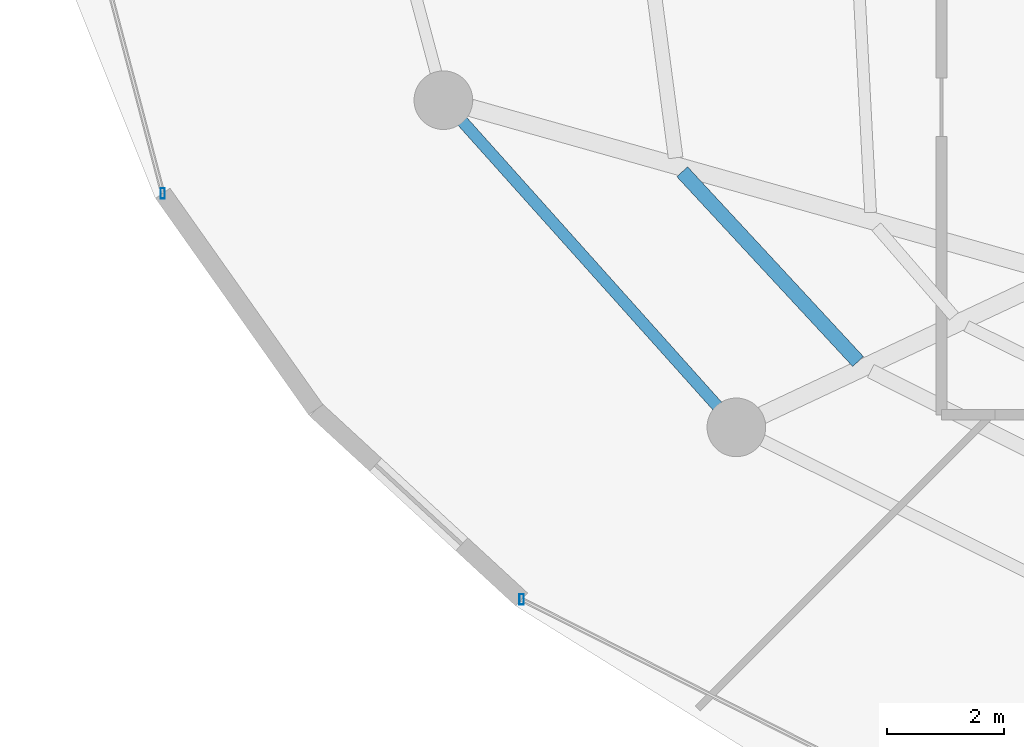
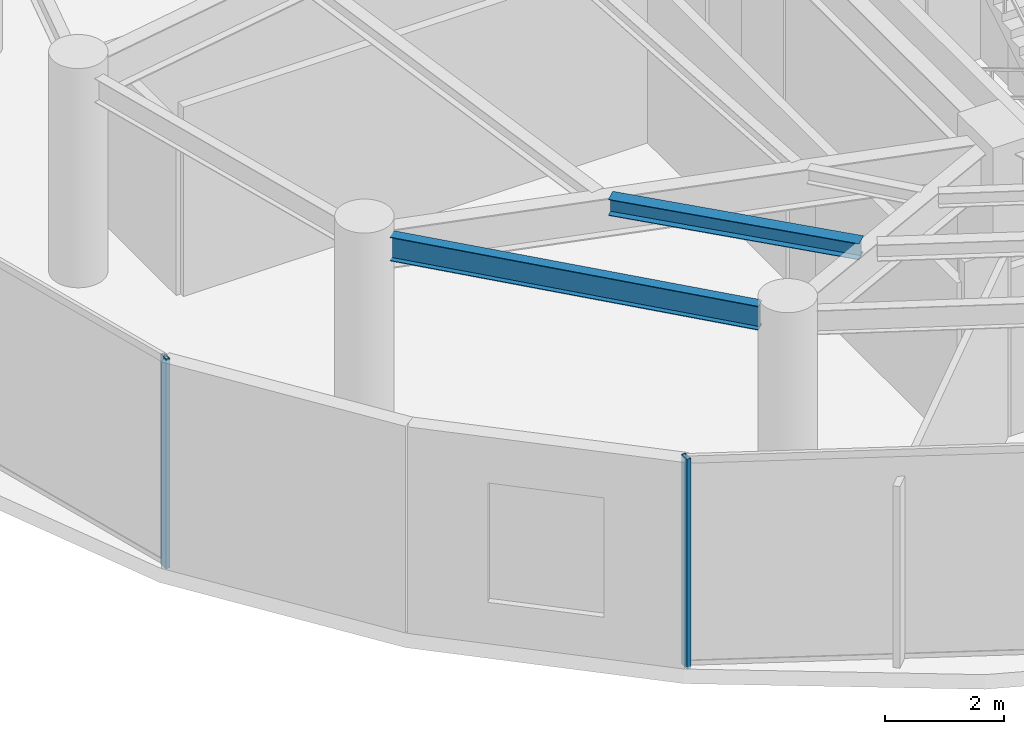
# One storey, part 2 of 31: 2 beams, 2 members, 2 elements without a shape of their own.
"""IFC4 building model written with IfcOpenShell, lengths in metres."""

from ifc_helpers import new_model, si_unit, direction, frame, origin, origin_2d, place, context, subcontext, project, spatial, hollow_rectangle, i_section, extrude, material, material_profile, profile_set, type_object, element, aggregate, save


model = new_model("IFC4")

# Units and contexts
model_context = context("Model", 3, precision=1e-05, world=origin(), true_north=direction((0.0, 1.0)))
body_context = subcontext(model_context, "Body", "Model", "MODEL_VIEW")
ifc_project = project(units=[si_unit("LENGTHUNIT", "METRE"), si_unit("AREAUNIT", "SQUARE_METRE"), si_unit("VOLUMEUNIT", "CUBIC_METRE"), si_unit("PLANEANGLEUNIT", "RADIAN"), si_unit("MASSUNIT", "GRAM", prefix="KILO")], contexts=[model_context])

# Site, building, storey
site_placement = place(None, origin())
site = spatial("IfcSite", under=ifc_project, at=site_placement, CompositionType="ELEMENT")
building_placement = place(site_placement, origin())
building = spatial("IfcBuilding", under=site, at=building_placement, Name="Vorneva Point Tower", CompositionType="ELEMENT")
storey_placement = place(building_placement, frame((0.0, 0.0, 174.60009765625)))
storey = spatial("IfcBuildingStorey", under=building, at=storey_placement, Name="L47", CompositionType="ELEMENT", Elevation=174.60009765625)

# Beams
ifc_material_1 = material(Name="Steel S355", Category="steel")
ifc_material_profile_1 = material_profile(ifc_material_1, i_section(OverallWidth=0.2490234375, OverallDepth=0.333984375, WebThickness=0.008056640625, FlangeThickness=0.010986328125, at=origin_2d()), Name="35Sh1")
ifc_profile_set_1 = profile_set([ifc_material_profile_1], Name="Steel S355")
beam_type_1 = type_object("IfcBeamType", Name="BM-SEC-35Sh1", PredefinedType="BEAM", material=ifc_profile_set_1)
beam_1_placement = place(storey_placement, frame((20.777587890625, 18.19677734375, 4.072998046875), z_axis=(0.679705864684, -0.733484790241, 0.0), x_axis=(0.733484790241, 0.679705864684, 0.0)))
element("IfcBeam", 1, at=beam_1_placement, inside=storey, type_object=beam_type_1, Name="L47 Secondary Floor Beam 1.10", PredefinedType="BEAM", context=body_context, shape_type="SweptSolid", body=[
    extrude(i_section(OverallWidth=0.2490234375, OverallDepth=0.333984375, WebThickness=0.008056640625, FlangeThickness=0.010986328125, at=origin_2d()), origin(), (0.0, 0.0, 1.0), 4.41259765625),
])
ifc_material_profile_2 = material_profile(ifc_material_1, i_section(OverallWidth=0.199951171875, OverallDepth=0.491943359375, WebThickness=0.0087890625, FlangeThickness=0.011962890625, at=origin_2d()), Name="50B1")
ifc_profile_set_2 = profile_set([ifc_material_profile_2], Name="Steel S355")
beam_type_2 = type_object("IfcBeamType", Name="BM-SPN-50B1", PredefinedType="SPANDREL", material=ifc_profile_set_2)
beam_2_placement = place(storey_placement, frame((17.028076171875, 19.056396484375, 3.993896484375), z_axis=(0.667111118975, -0.74495822362, 0.0), x_axis=(0.74495822362, 0.667111118975, 0.0)))
element("IfcBeam", 2, at=beam_2_placement, inside=storey, type_object=beam_type_2, Name="L47 Perimeter Spandrel Ring Beam 10", PredefinedType="SPANDREL", context=body_context, shape_type="SweptSolid", body=[
    extrude(i_section(OverallWidth=0.199951171875, OverallDepth=0.491943359375, WebThickness=0.0087890625, FlangeThickness=0.011962890625, at=origin_2d()), origin(), (0.0, 0.0, 1.0), 6.52001953125),
])

# Curtain wall, member
ifc_material_2 = material(Name="Pale anodised aluminium", Category="aluminium")
curtain_wall_type = type_object("IfcCurtainWallType", Name="CW-SKY-SYS", PredefinedType="NOTDEFINED", material=ifc_material_2)
curtain_wall_1_placement = place(storey_placement, origin())
curtain_wall_1 = element("IfcCurtainWall", 3, at=curtain_wall_1_placement, inside=storey, type_object=curtain_wall_type, Name="L47 Unitised Curtain Wall CW-L47-R03", PredefinedType="NOTDEFINED")
ifc_material_profile_3 = material_profile(ifc_material_2, hollow_rectangle(XDim=0.074951171875, YDim=0.179931640625, WallThickness=0.00390625, at=origin_2d()), Name="AL-MUL 180x75x4")
ifc_profile_set_3 = profile_set([ifc_material_profile_3], Name="Pale anodised aluminium")
member_type = type_object("IfcMemberType", Name="CW-MUL-180", PredefinedType="MULLION", material=ifc_profile_set_3)
member_1_placement = place(storey_placement, frame((11.9189453125, 17.82958984375, -0.0400390625), z_axis=(0.0, 0.0, 1.0), x_axis=(1.0, 0.0, 0.0)))
member_1 = element("IfcMember", 4, at=member_1_placement, type_object=member_type, Name="CW-L47-R03 Mullion 05", PredefinedType="MULLION", context=body_context, shape_type="SweptSolid", body=[
    extrude(hollow_rectangle(XDim=0.074951171875, YDim=0.179931640625, WallThickness=0.00390625, at=origin_2d()), origin(), (0.0, 0.0, 1.0), 4.31005859375),
])
aggregate(curtain_wall_1, [member_1])

curtain_wall_2_placement = place(storey_placement, origin())
curtain_wall_2 = element("IfcCurtainWall", 5, at=curtain_wall_2_placement, inside=storey, type_object=curtain_wall_type, Name="L47 Unitised Curtain Wall CW-L47-R04", PredefinedType="NOTDEFINED")
member_2_placement = place(storey_placement, frame((18.038330078125, 10.9033203125, -0.0400390625), z_axis=(0.0, 0.0, 1.0), x_axis=(1.0, 0.0, 0.0)))
member_2 = element("IfcMember", 6, at=member_2_placement, type_object=member_type, Name="CW-L47-R04 Mullion 01", PredefinedType="MULLION", context=body_context, shape_type="SweptSolid", body=[
    extrude(hollow_rectangle(XDim=0.074951171875, YDim=0.179931640625, WallThickness=0.00390625, at=origin_2d()), origin(), (0.0, 0.0, 1.0), 4.31005859375),
])
aggregate(curtain_wall_2, [member_2])

save(model, "model.ifc")
